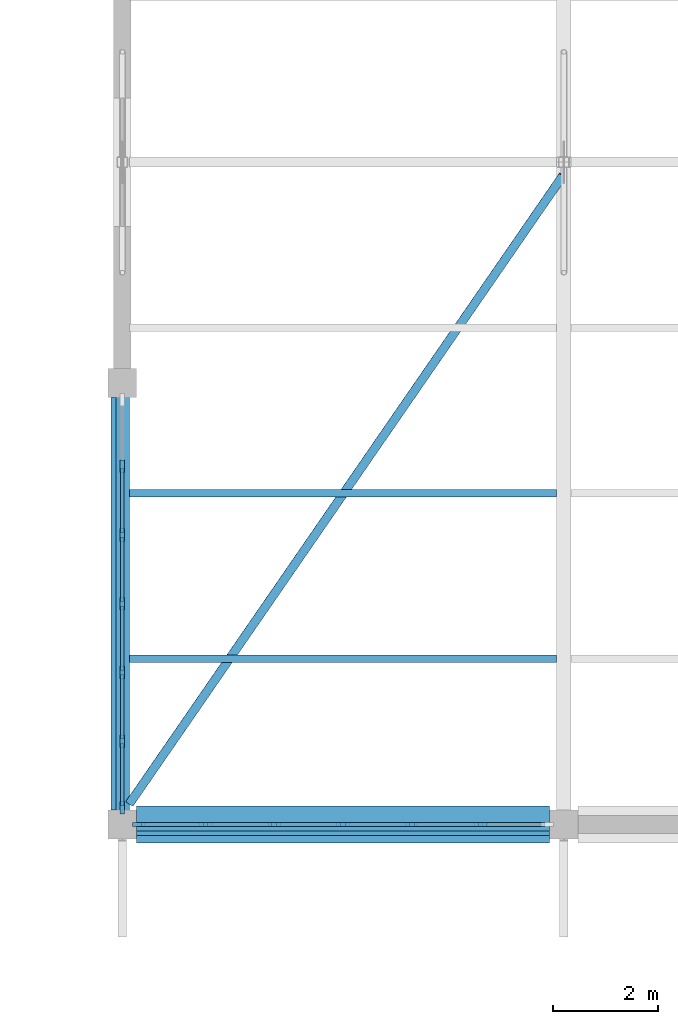
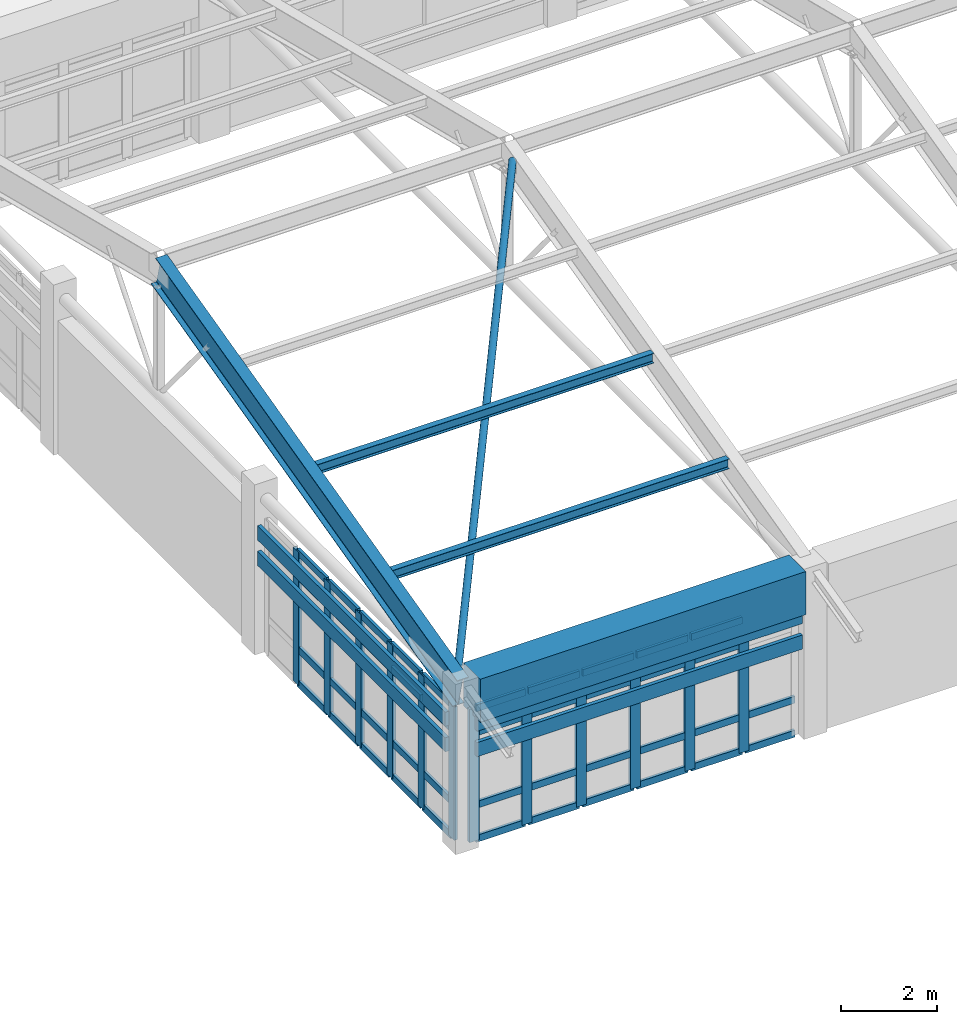
# One storey, part 10 of 99: 61 members, 2 beams, 2 elements without a shape of their own.
"""IFC4 building model written with IfcOpenShell, lengths in metres."""

from ifc_helpers import new_model, si_unit, direction, frame, origin, origin_2d, place, context, subcontext, project, spatial, rectangle, hollow_circle, i_section, extrude, material, layer, layer_set, material_profile, profile_set, type_object, element, aggregate, save


model = new_model("IFC4")

# Units and contexts
model_context = context("Model", 3, precision=1e-05, world=origin(), true_north=direction((0.0, 1.0)))
body_context = subcontext(model_context, "Body", "Model", "MODEL_VIEW")
ifc_project = project(units=[si_unit("LENGTHUNIT", "METRE"), si_unit("AREAUNIT", "SQUARE_METRE"), si_unit("VOLUMEUNIT", "CUBIC_METRE"), si_unit("PLANEANGLEUNIT", "RADIAN"), si_unit("MASSUNIT", "GRAM", prefix="KILO")], contexts=[model_context])

# Site, building, storey
site_placement = place(None, origin())
site = spatial("IfcSite", under=ifc_project, at=site_placement, CompositionType="ELEMENT")
building_placement = place(site_placement, origin())
building = spatial("IfcBuilding", under=site, at=building_placement, Name="Porcellanite Civic Hall", CompositionType="ELEMENT")
storey_placement = place(building_placement, frame((0.0, 0.0, 5.760009765625)))
storey = spatial("IfcBuildingStorey", under=building, at=storey_placement, Name="L01", CompositionType="ELEMENT", Elevation=5.760009765625)

# Member
ifc_material_1 = material(Name="Steel C350L0", Category="steel")
ifc_material_profile_1 = material_profile(ifc_material_1, hollow_circle(Radius=0.084228515625, WallThickness=0.007080078125, at=origin_2d()), Name="168.3x7.1CHS")
ifc_profile_set_1 = profile_set([ifc_material_profile_1], Name="Steel C350L0")
member_type_1 = type_object("IfcMemberType", Name="BRC-168CHS", PredefinedType="BRACE", material=ifc_profile_set_1)
member_1_placement = place(storey_placement, frame((67.340087890625, 17.199951171875, 3.894775390625), z_axis=(0.555142191818, 0.804421233989, 0.211479609352), x_axis=(-0.823036332545, 0.567988728155, 0.0)))
element("IfcMember", 1, at=member_1_placement, inside=storey, type_object=member_type_1, Name="Public Hall wind brace S 8", PredefinedType="BRACE", context=body_context, shape_type="SweptSolid", body=[
    extrude(hollow_circle(Radius=0.084228515625, WallThickness=0.007080078125, at=origin_2d()), origin(), (0.0, 0.0, 1.0), 14.855224609375),
])

# Curtain wall, members
ifc_material_2 = material(Name="Anodised aluminium and solar laminated glass", Category="aluminium")
ifc_layer = layer(ifc_material_2, 0.179931640625)
ifc_layer_set = layer_set([ifc_layer], Name="Anodised aluminium and solar laminated glass")
curtain_wall_type = type_object("IfcCurtainWallType", Name="CW-SYS01", PredefinedType="NOTDEFINED", material=ifc_layer_set)
curtain_wall_1_placement = place(storey_placement, origin())
curtain_wall_1 = element("IfcCurtainWall", 2, at=curtain_wall_1_placement, inside=storey, type_object=curtain_wall_type, Name="Curtain wall CW-088", PredefinedType="NOTDEFINED")
ifc_material_3 = material(Name="Anodised aluminium 6063-T6", Category="aluminium")
ifc_material_profile_2 = material_profile(ifc_material_3, rectangle(XDim=0.080078125, YDim=0.239990234375, at=origin_2d()), Name="AL-80x240")
ifc_profile_set_2 = profile_set([ifc_material_profile_2], Name="Anodised aluminium 6063-T6")
member_type_2 = type_object("IfcMemberType", Name="CWM-01", PredefinedType="MULLION", material=ifc_profile_set_2)
member_2_placement = place(storey_placement, frame((74.01611328125, 16.800048828125, 0.0), z_axis=(0.0, 0.0, 1.0), x_axis=(0.0, -1.0, 0.0)))
member_2 = element("IfcMember", 3, at=member_2_placement, type_object=member_type_2, Name="CW-088 mullion 2", PredefinedType="MULLION", context=body_context, shape_type="SweptSolid", body=[
    extrude(rectangle(XDim=0.080078125, YDim=0.239990234375, at=origin_2d()), origin(), (0.0, 0.0, 1.0), 3.39990234375),
])
member_3_placement = place(storey_placement, frame((72.7080078125, 16.800048828125, 0.0), z_axis=(0.0, 0.0, 1.0), x_axis=(0.0, -1.0, 0.0)))
member_3 = element("IfcMember", 4, at=member_3_placement, type_object=member_type_2, Name="CW-088 mullion 3", PredefinedType="MULLION", context=body_context, shape_type="SweptSolid", body=[
    extrude(rectangle(XDim=0.080078125, YDim=0.239990234375, at=origin_2d()), origin(), (0.0, 0.0, 1.0), 3.39990234375),
])
member_4_placement = place(storey_placement, frame((71.39990234375, 16.800048828125, 0.0), z_axis=(0.0, 0.0, 1.0), x_axis=(0.0, -1.0, 0.0)))
member_4 = element("IfcMember", 5, at=member_4_placement, type_object=member_type_2, Name="CW-088 mullion 4", PredefinedType="MULLION", context=body_context, shape_type="SweptSolid", body=[
    extrude(rectangle(XDim=0.080078125, YDim=0.239990234375, at=origin_2d()), origin(), (0.0, 0.0, 1.0), 3.39990234375),
])
member_5_placement = place(storey_placement, frame((70.092041015625, 16.800048828125, 0.0), z_axis=(0.0, 0.0, 1.0), x_axis=(0.0, -1.0, 0.0)))
member_5 = element("IfcMember", 6, at=member_5_placement, type_object=member_type_2, Name="CW-088 mullion 5", PredefinedType="MULLION", context=body_context, shape_type="SweptSolid", body=[
    extrude(rectangle(XDim=0.080078125, YDim=0.239990234375, at=origin_2d()), origin(), (0.0, 0.0, 1.0), 3.39990234375),
])
member_6_placement = place(storey_placement, frame((68.783935546875, 16.800048828125, 0.0), z_axis=(0.0, 0.0, 1.0), x_axis=(0.0, -1.0, 0.0)))
member_6 = element("IfcMember", 7, at=member_6_placement, type_object=member_type_2, Name="CW-088 mullion 6", PredefinedType="MULLION", context=body_context, shape_type="SweptSolid", body=[
    extrude(rectangle(XDim=0.080078125, YDim=0.239990234375, at=origin_2d()), origin(), (0.0, 0.0, 1.0), 3.39990234375),
])
member_7_placement = place(storey_placement, frame((67.51611328125, 16.800048828125, 0.0), z_axis=(0.0, 0.0, 1.0), x_axis=(0.0, -1.0, 0.0)))
member_7 = element("IfcMember", 8, at=member_7_placement, type_object=member_type_2, Name="CW-088 mullion 7", PredefinedType="MULLION", context=body_context, shape_type="SweptSolid", body=[
    extrude(rectangle(XDim=0.080078125, YDim=0.239990234375, at=origin_2d()), origin(), (0.0, 0.0, 1.0), 3.39990234375),
])

curtain_wall_2_placement = place(storey_placement, origin())
curtain_wall_2 = element("IfcCurtainWall", 9, at=curtain_wall_2_placement, inside=storey, type_object=curtain_wall_type, Name="Curtain wall CW-089", PredefinedType="NOTDEFINED")
member_8_placement = place(storey_placement, frame((67.199951171875, 17.115966796875, 0.0), z_axis=(0.0, 0.0, 1.0), x_axis=(-1.0, 0.0, 0.0)))
member_8 = element("IfcMember", 10, at=member_8_placement, type_object=member_type_2, Name="CW-089 mullion 1", PredefinedType="MULLION", context=body_context, shape_type="SweptSolid", body=[
    extrude(rectangle(XDim=0.080078125, YDim=0.239990234375, at=origin_2d()), origin(), (0.0, 0.0, 1.0), 3.39990234375),
])
member_9_placement = place(storey_placement, frame((67.199951171875, 18.384033203125, 0.0), z_axis=(0.0, 0.0, 1.0), x_axis=(-1.0, 0.0, 0.0)))
member_9 = element("IfcMember", 11, at=member_9_placement, type_object=member_type_2, Name="CW-089 mullion 2", PredefinedType="MULLION", context=body_context, shape_type="SweptSolid", body=[
    extrude(rectangle(XDim=0.080078125, YDim=0.239990234375, at=origin_2d()), origin(), (0.0, 0.0, 1.0), 3.39990234375),
])
member_10_placement = place(storey_placement, frame((67.199951171875, 19.69189453125, 0.0), z_axis=(0.0, 0.0, 1.0), x_axis=(-1.0, 0.0, 0.0)))
member_10 = element("IfcMember", 12, at=member_10_placement, type_object=member_type_2, Name="CW-089 mullion 3", PredefinedType="MULLION", context=body_context, shape_type="SweptSolid", body=[
    extrude(rectangle(XDim=0.080078125, YDim=0.239990234375, at=origin_2d()), origin(), (0.0, 0.0, 1.0), 3.39990234375),
])
member_11_placement = place(storey_placement, frame((67.199951171875, 21.0, 0.0), z_axis=(0.0, 0.0, 1.0), x_axis=(-1.0, 0.0, 0.0)))
member_11 = element("IfcMember", 13, at=member_11_placement, type_object=member_type_2, Name="CW-089 mullion 4", PredefinedType="MULLION", context=body_context, shape_type="SweptSolid", body=[
    extrude(rectangle(XDim=0.080078125, YDim=0.239990234375, at=origin_2d()), origin(), (0.0, 0.0, 1.0), 3.39990234375),
])
member_12_placement = place(storey_placement, frame((67.199951171875, 22.30810546875, 0.0), z_axis=(0.0, 0.0, 1.0), x_axis=(-1.0, 0.0, 0.0)))
member_12 = element("IfcMember", 14, at=member_12_placement, type_object=member_type_2, Name="CW-089 mullion 5", PredefinedType="MULLION", context=body_context, shape_type="SweptSolid", body=[
    extrude(rectangle(XDim=0.080078125, YDim=0.239990234375, at=origin_2d()), origin(), (0.0, 0.0, 1.0), 3.39990234375),
])
member_13_placement = place(storey_placement, frame((67.199951171875, 23.615966796875, 0.0), z_axis=(0.0, 0.0, 1.0), x_axis=(-1.0, 0.0, 0.0)))
member_13 = element("IfcMember", 15, at=member_13_placement, type_object=member_type_2, Name="CW-089 mullion 6", PredefinedType="MULLION", context=body_context, shape_type="SweptSolid", body=[
    extrude(rectangle(XDim=0.080078125, YDim=0.239990234375, at=origin_2d()), origin(), (0.0, 0.0, 1.0), 3.39990234375),
])

# Member
ifc_material_4 = material(Name="Anodised aluminium 6063-T6", Category="aluminium")
ifc_material_profile_3 = material_profile(ifc_material_4, rectangle(XDim=0.070068359375, YDim=0.175048828125, at=origin_2d()), Name="AL-70x175")
ifc_profile_set_3 = profile_set([ifc_material_profile_3], Name="Anodised aluminium 6063-T6")
member_type_3 = type_object("IfcMemberType", Name="CWT-01", PredefinedType="USERDEFINED", material=ifc_profile_set_3)
member_14_placement = place(storey_placement, frame((75.243896484375, 16.800048828125, 0.034912109375), z_axis=(-1.0, 0.0, 0.0), x_axis=(0.0, -1.0, 0.0)))
member_14 = element("IfcMember", 16, at=member_14_placement, type_object=member_type_3, Name="CW-088 transom 1.1", ObjectType="TRANSOM", PredefinedType="USERDEFINED", context=body_context, shape_type="SweptSolid", body=[
    extrude(rectangle(XDim=0.070068359375, YDim=0.175048828125, at=origin_2d()), origin(), (0.0, 0.0, 1.0), 1.18798828125),
])

member_15_placement = place(storey_placement, frame((75.243896484375, 16.800048828125, 0.89990234375), z_axis=(-1.0, 0.0, 0.0), x_axis=(0.0, -1.0, 0.0)))
member_15 = element("IfcMember", 17, at=member_15_placement, type_object=member_type_3, Name="CW-088 transom 1.2", ObjectType="TRANSOM", PredefinedType="USERDEFINED", context=body_context, shape_type="SweptSolid", body=[
    extrude(rectangle(XDim=0.070068359375, YDim=0.175048828125, at=origin_2d()), origin(), (0.0, 0.0, 1.0), 1.18798828125),
])

member_16_placement = place(storey_placement, frame((73.97607421875, 16.800048828125, 0.034912109375), z_axis=(-1.0, 0.0, 0.0), x_axis=(0.0, -1.0, 0.0)))
member_16 = element("IfcMember", 18, at=member_16_placement, type_object=member_type_3, Name="CW-088 transom 2.1", ObjectType="TRANSOM", PredefinedType="USERDEFINED", context=body_context, shape_type="SweptSolid", body=[
    extrude(rectangle(XDim=0.070068359375, YDim=0.175048828125, at=origin_2d()), origin(), (0.0, 0.0, 1.0), 1.22802734375),
])

member_17_placement = place(storey_placement, frame((73.97607421875, 16.800048828125, 0.89990234375), z_axis=(-1.0, 0.0, 0.0), x_axis=(0.0, -1.0, 0.0)))
member_17 = element("IfcMember", 19, at=member_17_placement, type_object=member_type_3, Name="CW-088 transom 2.2", ObjectType="TRANSOM", PredefinedType="USERDEFINED", context=body_context, shape_type="SweptSolid", body=[
    extrude(rectangle(XDim=0.070068359375, YDim=0.175048828125, at=origin_2d()), origin(), (0.0, 0.0, 1.0), 1.22802734375),
])

member_18_placement = place(storey_placement, frame((73.97607421875, 16.800048828125, 2.75), z_axis=(-1.0, 0.0, 0.0), x_axis=(0.0, -1.0, 0.0)))
member_18 = element("IfcMember", 20, at=member_18_placement, type_object=member_type_3, Name="CW-088 transom 2.3", ObjectType="TRANSOM", PredefinedType="USERDEFINED", context=body_context, shape_type="SweptSolid", body=[
    extrude(rectangle(XDim=0.070068359375, YDim=0.175048828125, at=origin_2d()), origin(), (0.0, 0.0, 1.0), 1.22802734375),
])

member_19_placement = place(storey_placement, frame((73.97607421875, 16.800048828125, 3.364990234375), z_axis=(-1.0, 0.0, 0.0), x_axis=(0.0, -1.0, 0.0)))
member_19 = element("IfcMember", 21, at=member_19_placement, type_object=member_type_3, Name="CW-088 transom 2.4", ObjectType="TRANSOM", PredefinedType="USERDEFINED", context=body_context, shape_type="SweptSolid", body=[
    extrude(rectangle(XDim=0.070068359375, YDim=0.175048828125, at=origin_2d()), origin(), (0.0, 0.0, 1.0), 1.22802734375),
])

member_20_placement = place(storey_placement, frame((72.66796875, 16.800048828125, 0.034912109375), z_axis=(-1.0, 0.0, 0.0), x_axis=(0.0, -1.0, 0.0)))
member_20 = element("IfcMember", 22, at=member_20_placement, type_object=member_type_3, Name="CW-088 transom 3.1", ObjectType="TRANSOM", PredefinedType="USERDEFINED", context=body_context, shape_type="SweptSolid", body=[
    extrude(rectangle(XDim=0.070068359375, YDim=0.175048828125, at=origin_2d()), origin(), (0.0, 0.0, 1.0), 1.22802734375),
])

member_21_placement = place(storey_placement, frame((72.66796875, 16.800048828125, 0.89990234375), z_axis=(-1.0, 0.0, 0.0), x_axis=(0.0, -1.0, 0.0)))
member_21 = element("IfcMember", 23, at=member_21_placement, type_object=member_type_3, Name="CW-088 transom 3.2", ObjectType="TRANSOM", PredefinedType="USERDEFINED", context=body_context, shape_type="SweptSolid", body=[
    extrude(rectangle(XDim=0.070068359375, YDim=0.175048828125, at=origin_2d()), origin(), (0.0, 0.0, 1.0), 1.22802734375),
])

member_22_placement = place(storey_placement, frame((72.66796875, 16.800048828125, 2.75), z_axis=(-1.0, 0.0, 0.0), x_axis=(0.0, -1.0, 0.0)))
member_22 = element("IfcMember", 24, at=member_22_placement, type_object=member_type_3, Name="CW-088 transom 3.3", ObjectType="TRANSOM", PredefinedType="USERDEFINED", context=body_context, shape_type="SweptSolid", body=[
    extrude(rectangle(XDim=0.070068359375, YDim=0.175048828125, at=origin_2d()), origin(), (0.0, 0.0, 1.0), 1.22802734375),
])

member_23_placement = place(storey_placement, frame((72.66796875, 16.800048828125, 3.364990234375), z_axis=(-1.0, 0.0, 0.0), x_axis=(0.0, -1.0, 0.0)))
member_23 = element("IfcMember", 25, at=member_23_placement, type_object=member_type_3, Name="CW-088 transom 3.4", ObjectType="TRANSOM", PredefinedType="USERDEFINED", context=body_context, shape_type="SweptSolid", body=[
    extrude(rectangle(XDim=0.070068359375, YDim=0.175048828125, at=origin_2d()), origin(), (0.0, 0.0, 1.0), 1.22802734375),
])

member_24_placement = place(storey_placement, frame((71.360107421875, 16.800048828125, 0.034912109375), z_axis=(-1.0, 0.0, 0.0), x_axis=(0.0, -1.0, 0.0)))
member_24 = element("IfcMember", 26, at=member_24_placement, type_object=member_type_3, Name="CW-088 transom 4.1", ObjectType="TRANSOM", PredefinedType="USERDEFINED", context=body_context, shape_type="SweptSolid", body=[
    extrude(rectangle(XDim=0.070068359375, YDim=0.175048828125, at=origin_2d()), origin(), (0.0, 0.0, 1.0), 1.22802734375),
])

member_25_placement = place(storey_placement, frame((71.360107421875, 16.800048828125, 0.89990234375), z_axis=(-1.0, 0.0, 0.0), x_axis=(0.0, -1.0, 0.0)))
member_25 = element("IfcMember", 27, at=member_25_placement, type_object=member_type_3, Name="CW-088 transom 4.2", ObjectType="TRANSOM", PredefinedType="USERDEFINED", context=body_context, shape_type="SweptSolid", body=[
    extrude(rectangle(XDim=0.070068359375, YDim=0.175048828125, at=origin_2d()), origin(), (0.0, 0.0, 1.0), 1.22802734375),
])

member_26_placement = place(storey_placement, frame((71.360107421875, 16.800048828125, 2.75), z_axis=(-1.0, 0.0, 0.0), x_axis=(0.0, -1.0, 0.0)))
member_26 = element("IfcMember", 28, at=member_26_placement, type_object=member_type_3, Name="CW-088 transom 4.3", ObjectType="TRANSOM", PredefinedType="USERDEFINED", context=body_context, shape_type="SweptSolid", body=[
    extrude(rectangle(XDim=0.070068359375, YDim=0.175048828125, at=origin_2d()), origin(), (0.0, 0.0, 1.0), 1.22802734375),
])

member_27_placement = place(storey_placement, frame((71.360107421875, 16.800048828125, 3.364990234375), z_axis=(-1.0, 0.0, 0.0), x_axis=(0.0, -1.0, 0.0)))
member_27 = element("IfcMember", 29, at=member_27_placement, type_object=member_type_3, Name="CW-088 transom 4.4", ObjectType="TRANSOM", PredefinedType="USERDEFINED", context=body_context, shape_type="SweptSolid", body=[
    extrude(rectangle(XDim=0.070068359375, YDim=0.175048828125, at=origin_2d()), origin(), (0.0, 0.0, 1.0), 1.22802734375),
])

member_28_placement = place(storey_placement, frame((70.052001953125, 16.800048828125, 0.034912109375), z_axis=(-1.0, 0.0, 0.0), x_axis=(0.0, -1.0, 0.0)))
member_28 = element("IfcMember", 30, at=member_28_placement, type_object=member_type_3, Name="CW-088 transom 5.1", ObjectType="TRANSOM", PredefinedType="USERDEFINED", context=body_context, shape_type="SweptSolid", body=[
    extrude(rectangle(XDim=0.070068359375, YDim=0.175048828125, at=origin_2d()), origin(), (0.0, 0.0, 1.0), 1.22802734375),
])

member_29_placement = place(storey_placement, frame((70.052001953125, 16.800048828125, 0.89990234375), z_axis=(-1.0, 0.0, 0.0), x_axis=(0.0, -1.0, 0.0)))
member_29 = element("IfcMember", 31, at=member_29_placement, type_object=member_type_3, Name="CW-088 transom 5.2", ObjectType="TRANSOM", PredefinedType="USERDEFINED", context=body_context, shape_type="SweptSolid", body=[
    extrude(rectangle(XDim=0.070068359375, YDim=0.175048828125, at=origin_2d()), origin(), (0.0, 0.0, 1.0), 1.22802734375),
])

member_30_placement = place(storey_placement, frame((70.052001953125, 16.800048828125, 2.75), z_axis=(-1.0, 0.0, 0.0), x_axis=(0.0, -1.0, 0.0)))
member_30 = element("IfcMember", 32, at=member_30_placement, type_object=member_type_3, Name="CW-088 transom 5.3", ObjectType="TRANSOM", PredefinedType="USERDEFINED", context=body_context, shape_type="SweptSolid", body=[
    extrude(rectangle(XDim=0.070068359375, YDim=0.175048828125, at=origin_2d()), origin(), (0.0, 0.0, 1.0), 1.22802734375),
])

member_31_placement = place(storey_placement, frame((70.052001953125, 16.800048828125, 3.364990234375), z_axis=(-1.0, 0.0, 0.0), x_axis=(0.0, -1.0, 0.0)))
member_31 = element("IfcMember", 33, at=member_31_placement, type_object=member_type_3, Name="CW-088 transom 5.4", ObjectType="TRANSOM", PredefinedType="USERDEFINED", context=body_context, shape_type="SweptSolid", body=[
    extrude(rectangle(XDim=0.070068359375, YDim=0.175048828125, at=origin_2d()), origin(), (0.0, 0.0, 1.0), 1.22802734375),
])

member_32_placement = place(storey_placement, frame((68.743896484375, 16.800048828125, 0.034912109375), z_axis=(-1.0, 0.0, 0.0), x_axis=(0.0, -1.0, 0.0)))
member_32 = element("IfcMember", 34, at=member_32_placement, type_object=member_type_3, Name="CW-088 transom 6.1", ObjectType="TRANSOM", PredefinedType="USERDEFINED", context=body_context, shape_type="SweptSolid", body=[
    extrude(rectangle(XDim=0.070068359375, YDim=0.175048828125, at=origin_2d()), origin(), (0.0, 0.0, 1.0), 1.18798828125),
])

member_33_placement = place(storey_placement, frame((68.743896484375, 16.800048828125, 0.89990234375), z_axis=(-1.0, 0.0, 0.0), x_axis=(0.0, -1.0, 0.0)))
member_33 = element("IfcMember", 35, at=member_33_placement, type_object=member_type_3, Name="CW-088 transom 6.2", ObjectType="TRANSOM", PredefinedType="USERDEFINED", context=body_context, shape_type="SweptSolid", body=[
    extrude(rectangle(XDim=0.070068359375, YDim=0.175048828125, at=origin_2d()), origin(), (0.0, 0.0, 1.0), 1.18798828125),
])

member_34_placement = place(storey_placement, frame((68.743896484375, 16.800048828125, 2.75), z_axis=(-1.0, 0.0, 0.0), x_axis=(0.0, -1.0, 0.0)))
member_34 = element("IfcMember", 36, at=member_34_placement, type_object=member_type_3, Name="CW-088 transom 6.3", ObjectType="TRANSOM", PredefinedType="USERDEFINED", context=body_context, shape_type="SweptSolid", body=[
    extrude(rectangle(XDim=0.070068359375, YDim=0.175048828125, at=origin_2d()), origin(), (0.0, 0.0, 1.0), 1.18798828125),
])

member_35_placement = place(storey_placement, frame((68.743896484375, 16.800048828125, 3.364990234375), z_axis=(-1.0, 0.0, 0.0), x_axis=(0.0, -1.0, 0.0)))
member_35 = element("IfcMember", 37, at=member_35_placement, type_object=member_type_3, Name="CW-088 transom 6.4", ObjectType="TRANSOM", PredefinedType="USERDEFINED", context=body_context, shape_type="SweptSolid", body=[
    extrude(rectangle(XDim=0.070068359375, YDim=0.175048828125, at=origin_2d()), origin(), (0.0, 0.0, 1.0), 1.18798828125),
])

aggregate(curtain_wall_1, [member_2, member_3, member_4, member_5, member_6, member_7, member_14, member_15, member_16, member_17, member_18, member_19, member_20, member_21, member_22, member_23, member_24, member_25, member_26, member_27, member_28, member_29, member_30, member_31, member_32, member_33, member_34, member_35])

member_36_placement = place(storey_placement, frame((67.199951171875, 17.156005859375, 0.034912109375), z_axis=(0.0, 1.0, 0.0), x_axis=(-1.0, 0.0, 0.0)))
member_36 = element("IfcMember", 38, at=member_36_placement, type_object=member_type_3, Name="CW-089 transom 1.1", ObjectType="TRANSOM", PredefinedType="USERDEFINED", context=body_context, shape_type="SweptSolid", body=[
    extrude(rectangle(XDim=0.070068359375, YDim=0.175048828125, at=origin_2d()), origin(), (0.0, 0.0, 1.0), 1.18798828125),
])

member_37_placement = place(storey_placement, frame((67.199951171875, 17.156005859375, 0.89990234375), z_axis=(0.0, 1.0, 0.0), x_axis=(-1.0, 0.0, 0.0)))
member_37 = element("IfcMember", 39, at=member_37_placement, type_object=member_type_3, Name="CW-089 transom 1.2", ObjectType="TRANSOM", PredefinedType="USERDEFINED", context=body_context, shape_type="SweptSolid", body=[
    extrude(rectangle(XDim=0.070068359375, YDim=0.175048828125, at=origin_2d()), origin(), (0.0, 0.0, 1.0), 1.18798828125),
])

member_38_placement = place(storey_placement, frame((67.199951171875, 17.156005859375, 2.75), z_axis=(0.0, 1.0, 0.0), x_axis=(-1.0, 0.0, 0.0)))
member_38 = element("IfcMember", 40, at=member_38_placement, type_object=member_type_3, Name="CW-089 transom 1.3", ObjectType="TRANSOM", PredefinedType="USERDEFINED", context=body_context, shape_type="SweptSolid", body=[
    extrude(rectangle(XDim=0.070068359375, YDim=0.175048828125, at=origin_2d()), origin(), (0.0, 0.0, 1.0), 1.18798828125),
])

member_39_placement = place(storey_placement, frame((67.199951171875, 17.156005859375, 3.364990234375), z_axis=(0.0, 1.0, 0.0), x_axis=(-1.0, 0.0, 0.0)))
member_39 = element("IfcMember", 41, at=member_39_placement, type_object=member_type_3, Name="CW-089 transom 1.4", ObjectType="TRANSOM", PredefinedType="USERDEFINED", context=body_context, shape_type="SweptSolid", body=[
    extrude(rectangle(XDim=0.070068359375, YDim=0.175048828125, at=origin_2d()), origin(), (0.0, 0.0, 1.0), 1.18798828125),
])

member_40_placement = place(storey_placement, frame((67.199951171875, 18.424072265625, 0.034912109375), z_axis=(0.0, 1.0, 0.0), x_axis=(-1.0, 0.0, 0.0)))
member_40 = element("IfcMember", 42, at=member_40_placement, type_object=member_type_3, Name="CW-089 transom 2.1", ObjectType="TRANSOM", PredefinedType="USERDEFINED", context=body_context, shape_type="SweptSolid", body=[
    extrude(rectangle(XDim=0.070068359375, YDim=0.175048828125, at=origin_2d()), origin(), (0.0, 0.0, 1.0), 1.22802734375),
])

member_41_placement = place(storey_placement, frame((67.199951171875, 18.424072265625, 0.89990234375), z_axis=(0.0, 1.0, 0.0), x_axis=(-1.0, 0.0, 0.0)))
member_41 = element("IfcMember", 43, at=member_41_placement, type_object=member_type_3, Name="CW-089 transom 2.2", ObjectType="TRANSOM", PredefinedType="USERDEFINED", context=body_context, shape_type="SweptSolid", body=[
    extrude(rectangle(XDim=0.070068359375, YDim=0.175048828125, at=origin_2d()), origin(), (0.0, 0.0, 1.0), 1.22802734375),
])

member_42_placement = place(storey_placement, frame((67.199951171875, 18.424072265625, 2.75), z_axis=(0.0, 1.0, 0.0), x_axis=(-1.0, 0.0, 0.0)))
member_42 = element("IfcMember", 44, at=member_42_placement, type_object=member_type_3, Name="CW-089 transom 2.3", ObjectType="TRANSOM", PredefinedType="USERDEFINED", context=body_context, shape_type="SweptSolid", body=[
    extrude(rectangle(XDim=0.070068359375, YDim=0.175048828125, at=origin_2d()), origin(), (0.0, 0.0, 1.0), 1.22802734375),
])

member_43_placement = place(storey_placement, frame((67.199951171875, 18.424072265625, 3.364990234375), z_axis=(0.0, 1.0, 0.0), x_axis=(-1.0, 0.0, 0.0)))
member_43 = element("IfcMember", 45, at=member_43_placement, type_object=member_type_3, Name="CW-089 transom 2.4", ObjectType="TRANSOM", PredefinedType="USERDEFINED", context=body_context, shape_type="SweptSolid", body=[
    extrude(rectangle(XDim=0.070068359375, YDim=0.175048828125, at=origin_2d()), origin(), (0.0, 0.0, 1.0), 1.22802734375),
])

member_44_placement = place(storey_placement, frame((67.199951171875, 19.73193359375, 0.034912109375), z_axis=(0.0, 1.0, 0.0), x_axis=(-1.0, 0.0, 0.0)))
member_44 = element("IfcMember", 46, at=member_44_placement, type_object=member_type_3, Name="CW-089 transom 3.1", ObjectType="TRANSOM", PredefinedType="USERDEFINED", context=body_context, shape_type="SweptSolid", body=[
    extrude(rectangle(XDim=0.070068359375, YDim=0.175048828125, at=origin_2d()), origin(), (0.0, 0.0, 1.0), 1.22802734375),
])

member_45_placement = place(storey_placement, frame((67.199951171875, 19.73193359375, 0.89990234375), z_axis=(0.0, 1.0, 0.0), x_axis=(-1.0, 0.0, 0.0)))
member_45 = element("IfcMember", 47, at=member_45_placement, type_object=member_type_3, Name="CW-089 transom 3.2", ObjectType="TRANSOM", PredefinedType="USERDEFINED", context=body_context, shape_type="SweptSolid", body=[
    extrude(rectangle(XDim=0.070068359375, YDim=0.175048828125, at=origin_2d()), origin(), (0.0, 0.0, 1.0), 1.22802734375),
])

member_46_placement = place(storey_placement, frame((67.199951171875, 19.73193359375, 2.75), z_axis=(0.0, 1.0, 0.0), x_axis=(-1.0, 0.0, 0.0)))
member_46 = element("IfcMember", 48, at=member_46_placement, type_object=member_type_3, Name="CW-089 transom 3.3", ObjectType="TRANSOM", PredefinedType="USERDEFINED", context=body_context, shape_type="SweptSolid", body=[
    extrude(rectangle(XDim=0.070068359375, YDim=0.175048828125, at=origin_2d()), origin(), (0.0, 0.0, 1.0), 1.22802734375),
])

member_47_placement = place(storey_placement, frame((67.199951171875, 19.73193359375, 3.364990234375), z_axis=(0.0, 1.0, 0.0), x_axis=(-1.0, 0.0, 0.0)))
member_47 = element("IfcMember", 49, at=member_47_placement, type_object=member_type_3, Name="CW-089 transom 3.4", ObjectType="TRANSOM", PredefinedType="USERDEFINED", context=body_context, shape_type="SweptSolid", body=[
    extrude(rectangle(XDim=0.070068359375, YDim=0.175048828125, at=origin_2d()), origin(), (0.0, 0.0, 1.0), 1.22802734375),
])

member_48_placement = place(storey_placement, frame((67.199951171875, 21.0400390625, 0.034912109375), z_axis=(0.0, 1.0, 0.0), x_axis=(-1.0, 0.0, 0.0)))
member_48 = element("IfcMember", 50, at=member_48_placement, type_object=member_type_3, Name="CW-089 transom 4.1", ObjectType="TRANSOM", PredefinedType="USERDEFINED", context=body_context, shape_type="SweptSolid", body=[
    extrude(rectangle(XDim=0.070068359375, YDim=0.175048828125, at=origin_2d()), origin(), (0.0, 0.0, 1.0), 1.22802734375),
])

member_49_placement = place(storey_placement, frame((67.199951171875, 21.0400390625, 0.89990234375), z_axis=(0.0, 1.0, 0.0), x_axis=(-1.0, 0.0, 0.0)))
member_49 = element("IfcMember", 51, at=member_49_placement, type_object=member_type_3, Name="CW-089 transom 4.2", ObjectType="TRANSOM", PredefinedType="USERDEFINED", context=body_context, shape_type="SweptSolid", body=[
    extrude(rectangle(XDim=0.070068359375, YDim=0.175048828125, at=origin_2d()), origin(), (0.0, 0.0, 1.0), 1.22802734375),
])

member_50_placement = place(storey_placement, frame((67.199951171875, 21.0400390625, 2.75), z_axis=(0.0, 1.0, 0.0), x_axis=(-1.0, 0.0, 0.0)))
member_50 = element("IfcMember", 52, at=member_50_placement, type_object=member_type_3, Name="CW-089 transom 4.3", ObjectType="TRANSOM", PredefinedType="USERDEFINED", context=body_context, shape_type="SweptSolid", body=[
    extrude(rectangle(XDim=0.070068359375, YDim=0.175048828125, at=origin_2d()), origin(), (0.0, 0.0, 1.0), 1.22802734375),
])

member_51_placement = place(storey_placement, frame((67.199951171875, 21.0400390625, 3.364990234375), z_axis=(0.0, 1.0, 0.0), x_axis=(-1.0, 0.0, 0.0)))
member_51 = element("IfcMember", 53, at=member_51_placement, type_object=member_type_3, Name="CW-089 transom 4.4", ObjectType="TRANSOM", PredefinedType="USERDEFINED", context=body_context, shape_type="SweptSolid", body=[
    extrude(rectangle(XDim=0.070068359375, YDim=0.175048828125, at=origin_2d()), origin(), (0.0, 0.0, 1.0), 1.22802734375),
])

member_52_placement = place(storey_placement, frame((67.199951171875, 22.347900390625, 0.034912109375), z_axis=(0.0, 1.0, 0.0), x_axis=(-1.0, 0.0, 0.0)))
member_52 = element("IfcMember", 54, at=member_52_placement, type_object=member_type_3, Name="CW-089 transom 5.1", ObjectType="TRANSOM", PredefinedType="USERDEFINED", context=body_context, shape_type="SweptSolid", body=[
    extrude(rectangle(XDim=0.070068359375, YDim=0.175048828125, at=origin_2d()), origin(), (0.0, 0.0, 1.0), 1.22802734375),
])

member_53_placement = place(storey_placement, frame((67.199951171875, 22.347900390625, 0.89990234375), z_axis=(0.0, 1.0, 0.0), x_axis=(-1.0, 0.0, 0.0)))
member_53 = element("IfcMember", 55, at=member_53_placement, type_object=member_type_3, Name="CW-089 transom 5.2", ObjectType="TRANSOM", PredefinedType="USERDEFINED", context=body_context, shape_type="SweptSolid", body=[
    extrude(rectangle(XDim=0.070068359375, YDim=0.175048828125, at=origin_2d()), origin(), (0.0, 0.0, 1.0), 1.22802734375),
])

member_54_placement = place(storey_placement, frame((67.199951171875, 22.347900390625, 2.75), z_axis=(0.0, 1.0, 0.0), x_axis=(-1.0, 0.0, 0.0)))
member_54 = element("IfcMember", 56, at=member_54_placement, type_object=member_type_3, Name="CW-089 transom 5.3", ObjectType="TRANSOM", PredefinedType="USERDEFINED", context=body_context, shape_type="SweptSolid", body=[
    extrude(rectangle(XDim=0.070068359375, YDim=0.175048828125, at=origin_2d()), origin(), (0.0, 0.0, 1.0), 1.22802734375),
])

member_55_placement = place(storey_placement, frame((67.199951171875, 22.347900390625, 3.364990234375), z_axis=(0.0, 1.0, 0.0), x_axis=(-1.0, 0.0, 0.0)))
member_55 = element("IfcMember", 57, at=member_55_placement, type_object=member_type_3, Name="CW-089 transom 5.4", ObjectType="TRANSOM", PredefinedType="USERDEFINED", context=body_context, shape_type="SweptSolid", body=[
    extrude(rectangle(XDim=0.070068359375, YDim=0.175048828125, at=origin_2d()), origin(), (0.0, 0.0, 1.0), 1.22802734375),
])

aggregate(curtain_wall_2, [member_8, member_9, member_10, member_11, member_12, member_13, member_36, member_37, member_38, member_39, member_40, member_41, member_42, member_43, member_44, member_45, member_46, member_47, member_48, member_49, member_50, member_51, member_52, member_53, member_54, member_55])

# Beam
ifc_material_5 = material(Name="Concrete N50 (50 MPa)", Category="concrete")
ifc_material_profile_4 = material_profile(ifc_material_5, rectangle(XDim=0.699951171875, YDim=1.10009765625, at=origin_2d()), Name="RC-700x1100")
ifc_profile_set_4 = profile_set([ifc_material_profile_4], Name="Concrete N50 (50 MPa)")
beam_type_1 = type_object("IfcBeamType", Name="EB-CH2", PredefinedType="BEAM", material=ifc_profile_set_4)
beam_1_placement = place(storey_placement, frame((67.474609375, 16.800048828125, 3.780029296875), z_axis=(1.0, 0.0, 0.0), x_axis=(0.0, 1.0, 0.0)))
element("IfcBeam", 58, at=beam_1_placement, inside=storey, type_object=beam_type_1, Name="Public Hall edge beam 2 8", PredefinedType="BEAM", context=body_context, shape_type="SweptSolid", body=[
    extrude(rectangle(XDim=0.699951171875, YDim=1.10009765625, at=origin_2d()), origin(), (0.0, 0.0, 1.0), 7.850830078125),
])

# Members
ifc_material_6 = material(Name="Fluoropolymer bauxite-red aluminium 6063-T6", Category="aluminium")
ifc_material_profile_5 = material_profile(ifc_material_6, rectangle(XDim=0.090087890625, YDim=0.360107421875, at=origin_2d()), Name="AL-90x360")
ifc_profile_set_5 = profile_set([ifc_material_profile_5], Name="Fluoropolymer bauxite-red aluminium 6063-T6")
member_type_4 = type_object("IfcMemberType", Name="LV-BLD01", PredefinedType="USERDEFINED", material=ifc_profile_set_5)
for number, where, z_axis, x_axis, name in (
    (59, (75.325439453125, 16.633056640625, 3.10009765625), (-1.0, 0.0, 0.0), (0.0, -1.0, 0.0), "Cyclone sunshade louvre L01 S 8-2 1"),
    (60, (75.325439453125, 16.633056640625, 2.449951171875), (-1.0, 0.0, 0.0), (0.0, -1.0, 0.0), "Cyclone sunshade louvre L01 S 8-2 2"),
):
    element("IfcMember", number, at=place(storey_placement, frame(where, z_axis=z_axis, x_axis=x_axis)), inside=storey, type_object=member_type_4, Name=name, ObjectType="LOUVRE BLADE", PredefinedType="USERDEFINED", context=body_context, shape_type="SweptSolid", body=[
        extrude(rectangle(XDim=0.090087890625, YDim=0.360107421875, at=origin_2d()), origin(), (0.0, 0.0, 1.0), 7.850830078125),
    ])
for number, where, z_axis, x_axis, name in (
    (61, (67.032958984375, 17.074462890625, 3.10009765625), (0.0, 1.0, 0.0), (-1.0, 0.0, 0.0), "Cyclone sunshade louvre L01 W 8-2 1"),
    (62, (67.032958984375, 17.074462890625, 2.449951171875), (0.0, 1.0, 0.0), (-1.0, 0.0, 0.0), "Cyclone sunshade louvre L01 W 8-2 2"),
):
    element("IfcMember", number, at=place(storey_placement, frame(where, z_axis=z_axis, x_axis=x_axis)), inside=storey, type_object=member_type_4, Name=name, ObjectType="LOUVRE BLADE", PredefinedType="USERDEFINED", context=body_context, shape_type="SweptSolid", body=[
        extrude(rectangle(XDim=0.090087890625, YDim=0.360107421875, at=origin_2d()), origin(), (0.0, 0.0, 1.0), 7.85107421875),
    ])
ifc_material_7 = material(Name="Steel Grade 350", Category="steel")
ifc_material_profile_6 = material_profile(ifc_material_7, i_section(OverallWidth=0.14599609375, OverallDepth=0.251953125, WebThickness=0.006103515625, FlangeThickness=0.008544921875, FilletRadius=0.0087890625, at=origin_2d()), Name="250UB31.4")
ifc_profile_set_6 = profile_set([ifc_material_profile_6], Name="Steel Grade 350")
member_type_5 = type_object("IfcMemberType", Name="PUR-250UB31", PredefinedType="PURLIN", material=ifc_profile_set_6)
for number, where, z_axis, x_axis, name in (
    (63, (67.3369140625, 19.949951171875, 4.9501953125), (1.0, 0.0, 0.0), (0.0, 1.0, 0.0), "Public Hall purlin 8 19.9"),
    (64, (67.3369140625, 23.10009765625, 5.735595703125), (1.0, 0.0, 0.0), (0.0, 1.0, 0.0), "Public Hall purlin 8 23.1"),
):
    element("IfcMember", number, at=place(storey_placement, frame(where, z_axis=z_axis, x_axis=x_axis)), inside=storey, type_object=member_type_5, Name=name, PredefinedType="PURLIN", context=body_context, shape_type="SweptSolid", body=[
        extrude(i_section(OverallWidth=0.14599609375, OverallDepth=0.251953125, WebThickness=0.006103515625, FlangeThickness=0.008544921875, FilletRadius=0.0087890625, at=origin_2d()), origin(), (0.0, 0.0, 1.0), 8.1259765625),
    ])

# Beam
ifc_material_8 = material(Name="Steel Grade 350", Category="steel")
ifc_material_profile_7 = material_profile(ifc_material_8, i_section(OverallWidth=0.27490234375, OverallDepth=0.800048828125, WebThickness=0.010009765625, FlangeThickness=0.01611328125, FilletRadius=0.013916015625, at=origin_2d()), Name="800WB146")
ifc_profile_set_7 = profile_set([ifc_material_profile_7], Name="Steel Grade 350")
beam_type_2 = type_object("IfcBeamType", Name="RAF-800WB", PredefinedType="BEAM", material=ifc_profile_set_7)
beam_2_placement = place(storey_placement, frame((67.199951171875, 16.800048828125, 3.894775390625), z_axis=(0.0, 0.970293823695, 0.241929526309), x_axis=(-1.0, 0.0, 0.0)))
element("IfcBeam", 65, at=beam_2_placement, inside=storey, type_object=beam_type_2, Name="Public Hall south rafter 8", PredefinedType="BEAM", context=body_context, shape_type="SweptSolid", body=[
    extrude(i_section(OverallWidth=0.27490234375, OverallDepth=0.800048828125, WebThickness=0.010009765625, FlangeThickness=0.01611328125, FilletRadius=0.013916015625, at=origin_2d()), origin(), (0.0, 0.0, 1.0), 12.985595703125),
])

save(model, "model.ifc")
